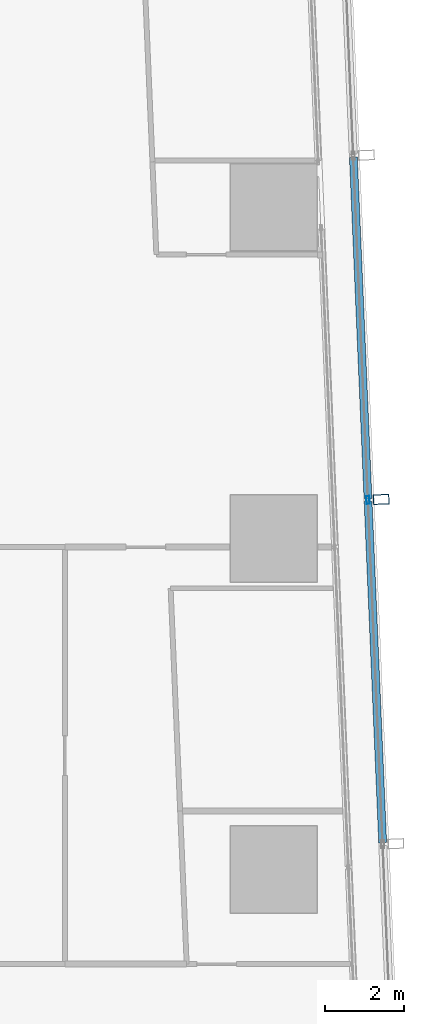
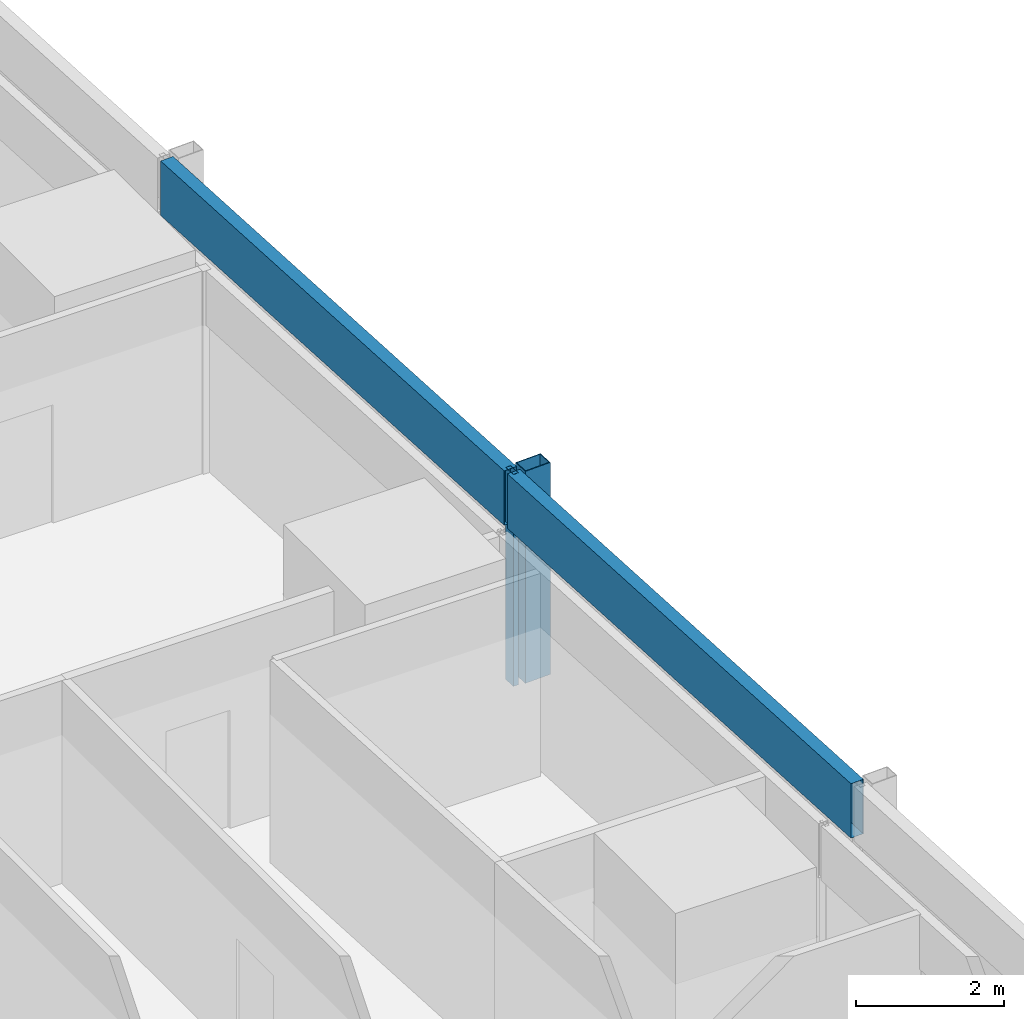
# One storey, part 28 of 45: 4 members, 1 element without a shape of its own.
"""IFC4 building model written with IfcOpenShell, lengths in metres."""

import ifcopenshell
import ifcopenshell.guid

model = None  # the IFC model being written
_history = None  # IfcOwnerHistory: only IFC2X3 demands one
_inside = {}  # id of a spatial element -> (the spatial element, [elements in it])
_under = {}  # id of a project, library or spatial element -> (it, [spatial elements below it])
_declared = {}  # id of a project -> (the project, [libraries it declares])
_typed = {}  # id of a type object -> (the type object, [elements of that type])
_made_of = {}  # id of a material, layer set ... -> (it, [elements and type objects made of it])


def new_model(schema):
    """Start an empty IFC model of exactly this schema.

    Asked for "IFC4X3", IfcOpenShell would pick the latest addendum, in which some entities
    have other attributes; the version numbers below select the first issue.
    IFC2X3 requires an IfcOwnerHistory on every rooted entity: one is made here for all.
    """
    global model, _history
    if schema == "IFC4X3":
        model = ifcopenshell.file(schema_version=(4, 3, 0, 0))
    else:
        model = ifcopenshell.file(schema=schema)
    _inside.clear()
    _under.clear()
    _declared.clear()
    _typed.clear()
    _made_of.clear()
    _history = None
    if model.schema == "IFC2X3":
        org = make("IfcOrganization", Name="unknown")
        user = make(
            "IfcPersonAndOrganization",
            ThePerson=make("IfcPerson", FamilyName="unknown"),
            TheOrganization=org,
        )
        app = make(
            "IfcApplication",
            ApplicationDeveloper=org,
            Version="unknown",
            ApplicationFullName="unknown",
            ApplicationIdentifier="unknown",
        )
        _history = make(
            "IfcOwnerHistory",
            OwningUser=user,
            OwningApplication=app,
            ChangeAction="ADDED",
            CreationDate=0,
        )
    return model


def make(cls, **values):
    """One entity of the class cls with the attributes given. An attribute that is None is left unset."""
    return model.create_entity(
        cls, **{name: value for name, value in values.items() if value is not None}
    )


def rooted(cls, **values):
    """An entity with a GlobalId (a new one), such as an element, a storey or a relation."""
    return make(cls, GlobalId=ifcopenshell.guid.new(), OwnerHistory=_history, **values)


def si_unit(unit_type, name, prefix=None):
    """IfcSIUnit, for example si_unit("LENGTHUNIT", "METRE", prefix="MILLI")."""
    return make("IfcSIUnit", UnitType=unit_type, Prefix=prefix, Name=name)


def assignment(units):
    """IfcUnitAssignment: the units of a project."""
    return None if units is None else make("IfcUnitAssignment", Units=units)


def point(xyz):
    """IfcCartesianPoint."""
    return None if xyz is None else make("IfcCartesianPoint", Coordinates=xyz)


def direction(xyz):
    """IfcDirection."""
    return None if xyz is None else make("IfcDirection", DirectionRatios=xyz)


def frame(location, z_axis=None, x_axis=None):
    """IfcAxis2Placement3D, a coordinate frame: its origin and axes. An axis left out is left unset."""
    return make(
        "IfcAxis2Placement3D",
        Location=point(location),
        Axis=direction(z_axis),
        RefDirection=direction(x_axis),
    )


def frame_2d(location, x_axis=None):
    """IfcAxis2Placement2D, a coordinate frame in the plane: its origin and x axis."""
    return make(
        "IfcAxis2Placement2D", Location=point(location), RefDirection=direction(x_axis)
    )


def origin():
    """The frame at (0, 0, 0) with its axes left unset."""
    return frame((0.0, 0.0, 0.0))


def origin_2d():
    """The frame at (0, 0) in the plane with its x axis left unset."""
    return frame_2d((0.0, 0.0))


def place(relative_to, where):
    """IfcLocalPlacement: puts the frame where relative to a parent placement (None: the world)."""
    return make(
        "IfcLocalPlacement", PlacementRelTo=relative_to, RelativePlacement=where
    )


def context(
    kind, dimensions, precision=None, world=None, true_north=None, identifier=None
):
    """IfcGeometricRepresentationContext, for example the 3D "Model" context."""
    return make(
        "IfcGeometricRepresentationContext",
        ContextIdentifier=identifier,
        ContextType=kind,
        CoordinateSpaceDimension=dimensions,
        Precision=precision,
        WorldCoordinateSystem=world,
        TrueNorth=true_north,
    )


def subcontext(parent, identifier, kind, view, scale=None):
    """IfcGeometricRepresentationSubContext, for example "Body" below "Model"."""
    return make(
        "IfcGeometricRepresentationSubContext",
        ContextIdentifier=identifier,
        ContextType=kind,
        ParentContext=parent,
        TargetScale=scale,
        TargetView=view,
    )


def project(units=None, contexts=None):
    """IfcProject with its units and contexts."""
    return rooted(
        "IfcProject",
        Name="project",
        RepresentationContexts=contexts,
        UnitsInContext=assignment(units),
    )


def spatial(cls, under=None, at=None, **own):
    """A site, building, storey or space (cls), placed at a placement, below another one or the project."""
    s = rooted(cls, ObjectPlacement=at, **own)
    if under is not None:
        _under.setdefault(under.id(), (under, []))[1].append(s)
    return s


def profile(cls, at=None, kind="AREA", **sizes):
    """A parametric profile (cls). Its sizes go by their IFC names, for example OverallWidth=200.0."""
    return make(cls, ProfileType=kind, Position=at, **sizes)


def hollow_rectangle(**sizes):
    """IfcRectangleHollowProfileDef."""
    return profile("IfcRectangleHollowProfileDef", **sizes)


def extrude(swept, where, along, depth):
    """IfcExtrudedAreaSolid: the profile swept, set in the frame where, extruded along a direction by depth."""
    return make(
        "IfcExtrudedAreaSolid",
        SweptArea=swept,
        Position=where,
        ExtrudedDirection=direction(along),
        Depth=depth,
    )


def shape(context_of_items, identifier, shape_type, items):
    """IfcShapeRepresentation: the items that make up one representation, for example the "Body"."""
    return make(
        "IfcShapeRepresentation",
        ContextOfItems=context_of_items,
        RepresentationIdentifier=identifier,
        RepresentationType=shape_type,
        Items=items,
    )


def material(Name=None, Category=None):
    """IfcMaterial."""
    return make("IfcMaterial", Name=Name, Category=Category)


def material_profile(
    of_material, cross_section, Name=None, Category=None, Priority=None
):
    """IfcMaterialProfile: a cross section and its material."""
    return make(
        "IfcMaterialProfile",
        Name=Name,
        Material=of_material,
        Profile=cross_section,
        Priority=Priority,
        Category=Category,
    )


def profile_set(profiles, Name=None, composite=None):
    """IfcMaterialProfileSet."""
    return make(
        "IfcMaterialProfileSet",
        Name=Name,
        MaterialProfiles=profiles,
        CompositeProfile=composite,
    )


def made_of(thing, what):
    """Note that an element or type object is made of a material, layer set ...; save() writes the relation."""
    if what is not None:
        _made_of.setdefault(what.id(), (what, []))[1].append(thing)
    return thing


def type_object(cls, material=None, **own):
    """A type object (cls), such as IfcWallType, which elements share."""
    return made_of(rooted(cls, **own), material)


def element(
    cls,
    number,
    at=None,
    inside=None,
    cuts=None,
    type_object=None,
    material=None,
    context=None,
    identifier="Body",
    shape_type=None,
    held_by="IfcProductDefinitionShape",
    body=None,
    shapes=None,
    **own,
):
    """One element of the class cls, such as IfcWall. Its Tag is "e" and its number.

    at: its placement. inside: the storey or other place that contains it. cuts: it is an
    opening in that element (IfcRelVoidsElement). A single representation is given by context,
    identifier, shape_type and body (its items); several are given by shapes. held_by: the class
    of the entity that holds the representations. save() writes the other relations.
    """
    e = rooted(cls, Tag="e%d" % number, ObjectPlacement=at, **own)
    if body is not None:
        shapes = [shape(context, identifier, shape_type, body)]
    if shapes is not None:
        e.Representation = make(held_by, Representations=shapes)
    if inside is not None:
        _inside.setdefault(inside.id(), (inside, []))[1].append(e)
    if cuts is not None:
        rooted(
            "IfcRelVoidsElement", RelatingBuildingElement=cuts, RelatedOpeningElement=e
        )
    if type_object is not None:
        _typed.setdefault(type_object.id(), (type_object, []))[1].append(e)
    return made_of(e, material)


def aggregate(whole, parts):
    """IfcRelAggregates: a whole, such as a stair, and the parts it consists of."""
    return rooted("IfcRelAggregates", RelatingObject=whole, RelatedObjects=parts)


def save(model, path):
    """Write the relations noted so far, then the file.

    IfcRelAggregates (storeys below a building ...), IfcRelContainedInSpatialStructure (elements
    in a storey), IfcRelDefinesByType, IfcRelAssociatesMaterial and IfcRelDeclares: one each for
    every whole, place, type object, material and project.
    """
    for whole, parts in _under.values():
        aggregate(whole, parts)
    for where, things in _inside.values():
        rooted(
            "IfcRelContainedInSpatialStructure",
            RelatedElements=things,
            RelatingStructure=where,
        )
    for kind, things in _typed.values():
        rooted("IfcRelDefinesByType", RelatedObjects=things, RelatingType=kind)
    for what, things in _made_of.values():
        rooted("IfcRelAssociatesMaterial", RelatedObjects=things, RelatingMaterial=what)
    for by, libraries in _declared.values():
        rooted("IfcRelDeclares", RelatingContext=by, RelatedDefinitions=libraries)
    model.write(path)


model = new_model("IFC4")

# Units and contexts
model_context = context("Model", 3, precision=1e-05, world=origin(), true_north=direction((0.0, 1.0)))
body_context = subcontext(model_context, "Body", "Model", "MODEL_VIEW")
ifc_project = project(units=[si_unit("LENGTHUNIT", "METRE"), si_unit("AREAUNIT", "SQUARE_METRE"), si_unit("VOLUMEUNIT", "CUBIC_METRE"), si_unit("PLANEANGLEUNIT", "RADIAN"), si_unit("MASSUNIT", "GRAM", prefix="KILO")], contexts=[model_context])

# Site, building, storey
site_placement = place(None, origin())
site = spatial("IfcSite", under=ifc_project, at=site_placement, CompositionType="ELEMENT")
building_placement = place(site_placement, origin())
building = spatial("IfcBuilding", under=site, at=building_placement, Name="Rekha Terrace Tower", CompositionType="ELEMENT")
storey_placement = place(building_placement, frame((0.0, 0.0, 44.14990234375)))
storey = spatial("IfcBuildingStorey", under=building, at=storey_placement, Name="L10", CompositionType="ELEMENT", Elevation=44.14990234375)

# Curtain wall, members
ifc_material_1 = material(Name="Aluminium framing", Category="aluminium")
curtain_wall_type = type_object("IfcCurtainWallType", Name="CW2 double skin outer glazing", PredefinedType="USERDEFINED", material=ifc_material_1)
curtain_wall_placement = place(storey_placement, origin())
curtain_wall = element("IfcCurtainWall", 1, at=curtain_wall_placement, inside=storey, type_object=curtain_wall_type, Name="CW2 double skin outer glazing", ObjectType="DOUBLE SKIN OUTER GLAZING", PredefinedType="USERDEFINED")
ifc_material_2 = material(Name="Steel S355 with fluorocarbon finish", Category="steel")
ifc_material_profile_1 = material_profile(ifc_material_2, hollow_rectangle(XDim=0.25, YDim=0.39990234375, WallThickness=0.012451171875, at=origin_2d()), Name="RHS400x250x12.5")
ifc_profile_set_1 = profile_set([ifc_material_profile_1], Name="Steel S355 with fluorocarbon finish")
member_type_1 = type_object("IfcMemberType", Name="BL1 facade blade RHS 400 x 250", PredefinedType="USERDEFINED", material=ifc_profile_set_1)
member_1_placement = place(storey_placement, frame((69.927734375, 42.989013671875, 0.0), z_axis=(0.0, 0.0, 1.0), x_axis=(-0.04269522475, 0.99908814315, 0.0)))
member_1 = element("IfcMember", 2, at=member_1_placement, type_object=member_type_1, Name="Facade blade", ObjectType="FACADE BLADE", PredefinedType="USERDEFINED", context=body_context, shape_type="SweptSolid", body=[
    extrude(hollow_rectangle(XDim=0.25, YDim=0.39990234375, WallThickness=0.012451171875, at=origin_2d()), origin(), (0.0, 0.0, 1.0), 3.5),
])
ifc_material_3 = material(Name="Aluminium mullion section", Category="aluminium")
ifc_material_profile_2 = material_profile(ifc_material_3, hollow_rectangle(XDim=0.080078125, YDim=0.199951171875, WallThickness=0.00390625, at=origin_2d()), Name="AL RHS 80x200")
ifc_profile_set_2 = profile_set([ifc_material_profile_2], Name="Aluminium mullion section")
member_type_2 = type_object("IfcMemberType", Name="CW2 mullion RHS 80 x 200", PredefinedType="MULLION", material=ifc_profile_set_2)
member_2_placement = place(storey_placement, frame((69.593017578125, 42.974609375, 0.0), z_axis=(0.0, 0.0, 1.0), x_axis=(-0.999088106903, -0.042696072956, 0.0)))
member_2 = element("IfcMember", 3, at=member_2_placement, type_object=member_type_2, Name="CW2 mullion 3", PredefinedType="MULLION", context=body_context, shape_type="SweptSolid", body=[
    extrude(hollow_rectangle(XDim=0.080078125, YDim=0.199951171875, WallThickness=0.00390625, at=origin_2d()), origin(), (0.0, 0.0, 1.0), 3.5),
])
ifc_material_4 = material(Name="Insulated aluminium spandrel box", Category="aluminium")
ifc_material_profile_3 = material_profile(ifc_material_4, hollow_rectangle(XDim=0.199951171875, YDim=0.89990234375, WallThickness=0.0029296875, at=origin_2d()), Name="AL SPANDREL BOX 200x900")
ifc_profile_set_3 = profile_set([ifc_material_profile_3], Name="Insulated aluminium spandrel box")
member_type_3 = type_object("IfcMemberType", Name="CW2 spandrel transom 200 x 900", PredefinedType="USERDEFINED", material=ifc_profile_set_3)
member_3_placement = place(storey_placement, frame((69.964599609375, 34.27880859375, 3.050048828125), z_axis=(-0.042692466729, 0.999088261008, 0.0), x_axis=(-0.999088261008, -0.042692466729, 0.0)))
member_3 = element("IfcMember", 4, at=member_3_placement, type_object=member_type_3, Name="CW2 spandrel transom 2", ObjectType="TRANSOM", PredefinedType="USERDEFINED", context=body_context, shape_type="SweptSolid", body=[
    extrude(hollow_rectangle(XDim=0.199951171875, YDim=0.89990234375, WallThickness=0.0029296875, at=origin_2d()), origin(), (0.0, 0.0, 1.0), 8.66357421875),
])
member_4_placement = place(storey_placement, frame((69.59130859375, 43.014404296875, 3.050048828125), z_axis=(-0.042691264793, 0.999088312368, 0.0), x_axis=(-0.999088312368, -0.042691264793, 0.0)))
member_4 = element("IfcMember", 5, at=member_4_placement, type_object=member_type_3, Name="CW2 spandrel transom 3", ObjectType="TRANSOM", PredefinedType="USERDEFINED", context=body_context, shape_type="SweptSolid", body=[
    extrude(hollow_rectangle(XDim=0.199951171875, YDim=0.89990234375, WallThickness=0.0029296875, at=origin_2d()), origin(), (0.0, 0.0, 1.0), 8.663818359375),
])
aggregate(curtain_wall, [member_2, member_3, member_4, member_1])

save(model, "model.ifc")
